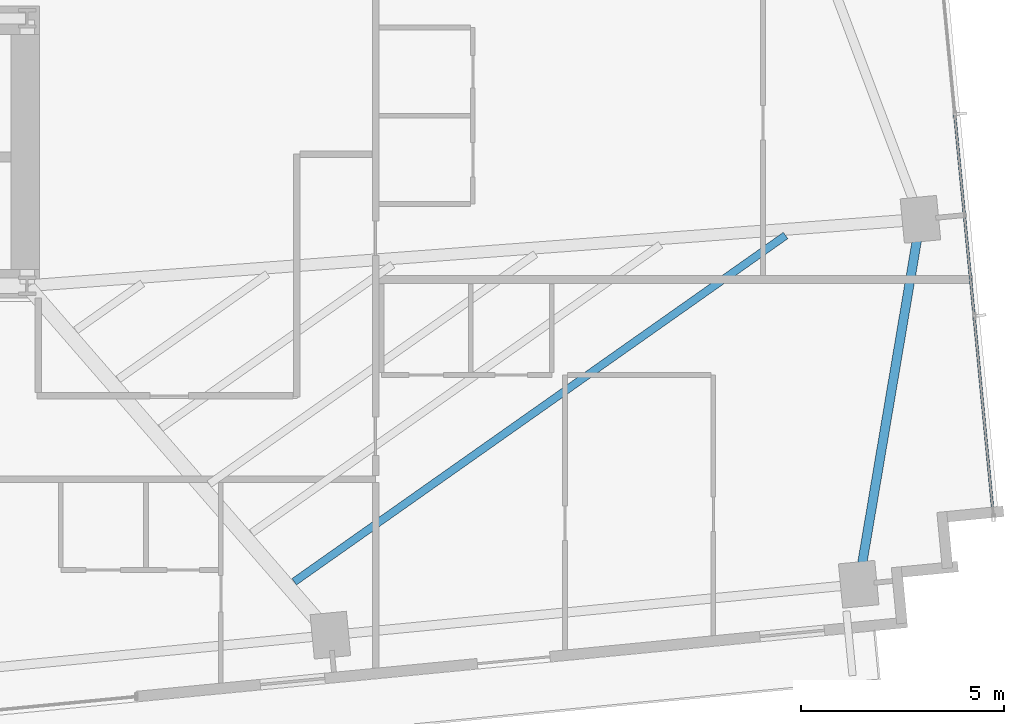
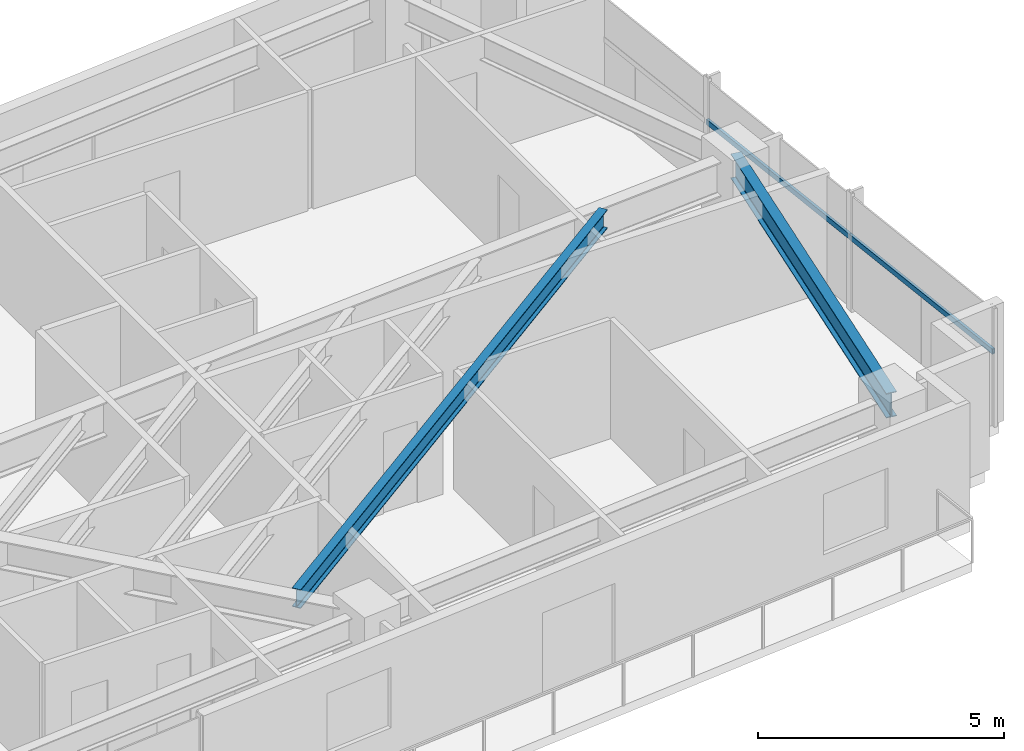
# One storey, part 15 of 27: 2 beams, 2 members, 1 element without a shape of its own.
"""IFC4 building model written with IfcOpenShell, lengths in metres."""

from ifc_helpers import new_model, si_unit, direction, frame, origin, origin_2d, place, context, subcontext, project, spatial, hollow_rectangle, i_section, extrude, source, transform, mapped, material, material_profile, profile_set, type_object, type_shapes, element, aggregate, save


model = new_model("IFC4")

# Units and contexts
model_context = context("Model", 3, precision=1e-05, world=origin(), true_north=direction((0.0, 1.0)))
body_context = subcontext(model_context, "Body", "Model", "MODEL_VIEW")
ifc_project = project(units=[si_unit("LENGTHUNIT", "METRE"), si_unit("AREAUNIT", "SQUARE_METRE"), si_unit("VOLUMEUNIT", "CUBIC_METRE"), si_unit("PLANEANGLEUNIT", "RADIAN"), si_unit("MASSUNIT", "GRAM", prefix="KILO")], contexts=[model_context])

# Site, building, storey
site_placement = place(None, origin())
site = spatial("IfcSite", under=ifc_project, at=site_placement, CompositionType="ELEMENT")
building_placement = place(site_placement, origin())
building = spatial("IfcBuilding", under=site, at=building_placement, Name="Astriad Promenade Condominiums", CompositionType="ELEMENT")
storey_placement = place(building_placement, frame((0.0, 0.0, 97.0)))
storey = spatial("IfcBuildingStorey", under=building, at=storey_placement, Name="L27", CompositionType="ELEMENT", Elevation=97.0)

# Beams
ifc_material_1 = material(Name="Steel ASTM A992 Grade 50", Category="steel")
ifc_material_profile_1 = material_profile(ifc_material_1, i_section(OverallWidth=0.22900390625, OverallDepth=0.612060546875, WebThickness=0.011962890625, FlangeThickness=0.01953125, FilletRadius=0.017822265625, at=origin_2d()), Name="W24X84")
ifc_profile_set_1 = profile_set([ifc_material_profile_1], Name="Steel ASTM A992 Grade 50")
beam_type_1 = type_object("IfcBeamType", Name="STEEL SPANDREL BEAM W24X84", PredefinedType="SPANDREL", material=ifc_profile_set_1)
shared_shape_1 = source(origin(), body_context, "Body", "SweptSolid", [
    extrude(i_section(OverallWidth=0.22900390625, OverallDepth=0.612060546875, WebThickness=0.011962890625, FlangeThickness=0.01953125, FilletRadius=0.017822265625, at=origin_2d()), origin(), (0.0, 0.0, 1.0), 9.055419921875),
])
type_shapes(beam_type_1, [shared_shape_1])
beam_1_placement = place(storey_placement, frame((66.13134765625, 10.0712890625, 2.6337890625), z_axis=(0.166776851291, 0.98599466625, 0.0), x_axis=(-0.98599466625, 0.166776851291, 0.0)))
element("IfcBeam", 1, at=beam_1_placement, inside=storey, type_object=beam_type_1, Name="Perimeter Spandrel Beam SP-E1-L27", PredefinedType="SPANDREL", context=body_context, shape_type="MappedRepresentation", body=[
    mapped(shared_shape_1, transform((0.0, 0.0, 0.0), scale=1.0)),
])
ifc_material_profile_2 = material_profile(ifc_material_1, i_section(OverallWidth=0.19287109375, OverallDepth=0.466064453125, WebThickness=0.011474609375, FlangeThickness=0.01904296875, FilletRadius=0.01513671875, at=origin_2d()), Name="W18X65")
ifc_profile_set_2 = profile_set([ifc_material_profile_2], Name="Steel ASTM A992 Grade 50")
beam_type_2 = type_object("IfcBeamType", Name="STEEL FLOOR JOIST W18X65", PredefinedType="JOIST", material=ifc_profile_set_2)
shared_shape_2 = source(origin(), body_context, "Body", "SweptSolid", [
    extrude(i_section(OverallWidth=0.19287109375, OverallDepth=0.466064453125, WebThickness=0.011474609375, FlangeThickness=0.01904296875, FilletRadius=0.01513671875, at=origin_2d()), origin(), (0.0, 0.0, 1.0), 14.838134765625),
])
type_shapes(beam_type_2, [shared_shape_2])
beam_2_placement = place(storey_placement, frame((52.192138671875, 10.093017578125, 2.706787109375), z_axis=(0.817419044294, 0.576043493171, 0.0), x_axis=(-0.576043493171, 0.817419044294, 0.0)))
element("IfcBeam", 2, at=beam_2_placement, inside=storey, type_object=beam_type_2, Name="Secondary Composite Floor Joist JE1-1-L27", PredefinedType="JOIST", context=body_context, shape_type="MappedRepresentation", body=[
    mapped(shared_shape_2, transform((0.0, 0.0, 0.0), scale=1.0)),
])

# Curtain wall, members
ifc_material_2 = material(Name="Anodised aluminium Black Dark Glass Unitised", Category="aluminium")
curtain_wall_type = type_object("IfcCurtainWallType", Name="CW-B2-DARK", PredefinedType="USERDEFINED", material=ifc_material_2)
curtain_wall_placement = place(storey_placement, origin())
curtain_wall = element("IfcCurtainWall", 3, at=curtain_wall_placement, inside=storey, type_object=curtain_wall_type, Name="CW-L27-E", ObjectType="UNITISED_CURTAIN_WALL", PredefinedType="USERDEFINED")
ifc_material_3 = material(Name="Anodised aluminium 6063-T6 Black", Category="aluminium")
ifc_material_profile_3 = material_profile(ifc_material_3, hollow_rectangle(XDim=0.06494140625, YDim=0.1298828125, WallThickness=0.00390625, at=origin_2d()), Name="ALU-TRN-65X130")
ifc_profile_set_3 = profile_set([ifc_material_profile_3], Name="Anodised aluminium 6063-T6 Black")
member_type = type_object("IfcMemberType", Name="TRN-ALU-TRN-65X130", PredefinedType="USERDEFINED", material=ifc_profile_set_3)
shared_shape_3 = source(origin(), body_context, "Body", "SweptSolid", [
    extrude(hollow_rectangle(XDim=0.06494140625, YDim=0.1298828125, WallThickness=0.00390625, at=origin_2d()), origin(), (0.0, 0.0, 1.0), 5.0),
])
member_1_placement = place(storey_placement, frame((68.972900390625, 16.6552734375, 1.82275390625), z_axis=(0.095848242264, -0.995395958629, 0.0), x_axis=(0.995395958629, 0.095848242264, 0.0)))
member_1 = element("IfcMember", 4, at=member_1_placement, type_object=member_type, Name="CW-L27-E-TRN-02-0", ObjectType="TRANSOM", PredefinedType="USERDEFINED", context=body_context, shape_type="MappedRepresentation", body=[
    mapped(shared_shape_3, transform((0.0, 0.0, 0.0), scale=1.0)),
])
shared_shape_4 = source(origin(), body_context, "Body", "SweptSolid", [
    extrude(hollow_rectangle(XDim=0.06494140625, YDim=0.1298828125, WallThickness=0.00390625, at=origin_2d()), origin(), (0.0, 0.0, 1.0), 4.999755859375),
])
type_shapes(member_type, [shared_shape_3, shared_shape_4])
member_2_placement = place(storey_placement, frame((68.493896484375, 21.632080078125, 1.82275390625), z_axis=(0.095804519461, -0.995400167797, 0.0), x_axis=(0.995400167797, 0.095804519461, 0.0)))
member_2 = element("IfcMember", 5, at=member_2_placement, type_object=member_type, Name="CW-L27-E-TRN-01-0", ObjectType="TRANSOM", PredefinedType="USERDEFINED", context=body_context, shape_type="MappedRepresentation", body=[
    mapped(shared_shape_4, transform((0.0, 0.0, 0.0), scale=1.0)),
])
aggregate(curtain_wall, [member_2, member_1])

save(model, "model.ifc")
